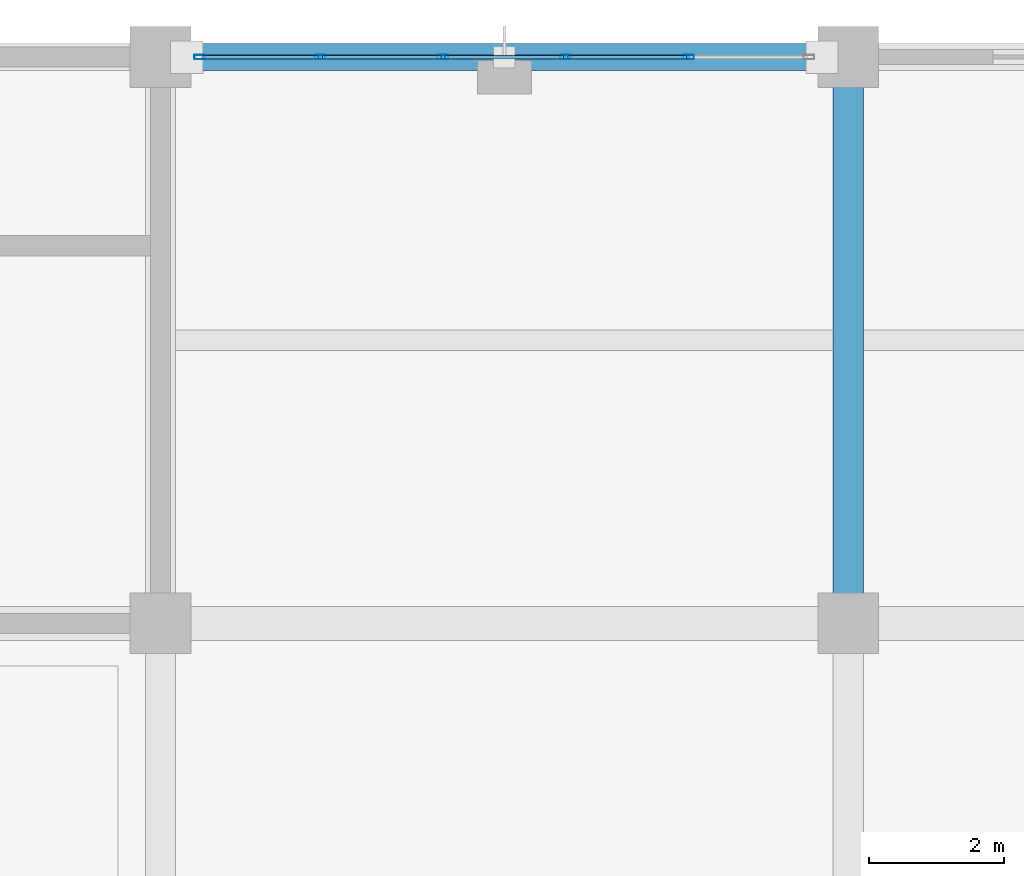
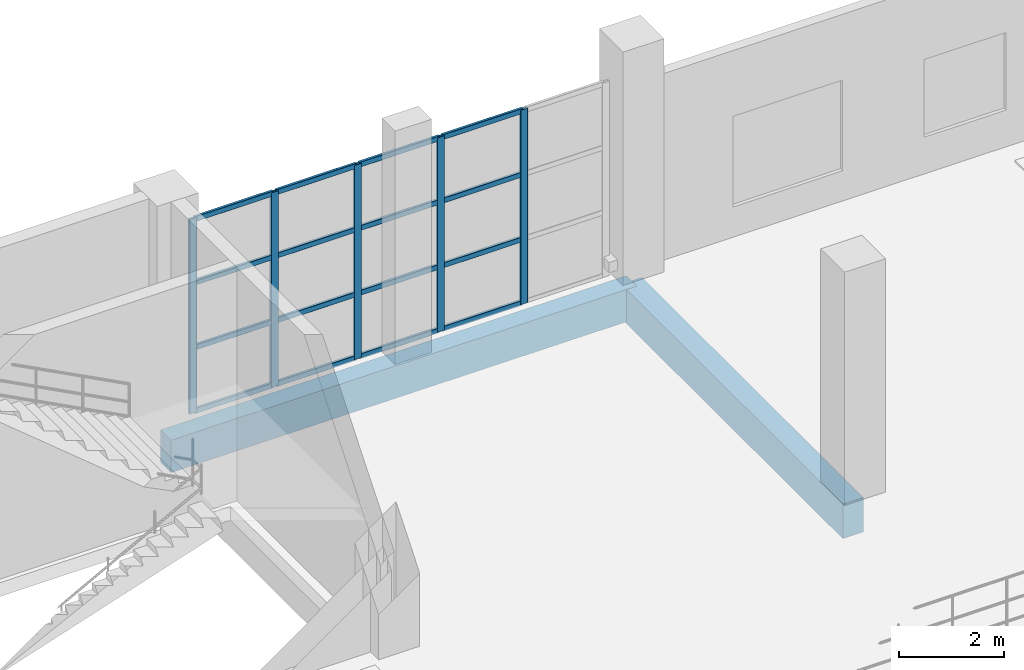
# One storey, part 88 of 175: 21 members, 2 beams, 1 element without a shape of its own.
"""IFC4 building model written with IfcOpenShell, lengths in metres."""

from ifc_helpers import new_model, si_unit, direction, frame, origin, origin_2d, place, context, subcontext, project, spatial, rectangle, hollow_rectangle, extrude, material, material_profile, profile_set, type_object, element, aggregate, save


model = new_model("IFC4")

# Units and contexts
model_context = context("Model", 3, precision=1e-05, world=origin(), true_north=direction((0.0, 1.0)))
body_context = subcontext(model_context, "Body", "Model", "MODEL_VIEW")
ifc_project = project(units=[si_unit("LENGTHUNIT", "METRE"), si_unit("AREAUNIT", "SQUARE_METRE"), si_unit("VOLUMEUNIT", "CUBIC_METRE"), si_unit("PLANEANGLEUNIT", "RADIAN"), si_unit("MASSUNIT", "GRAM", prefix="KILO")], contexts=[model_context])

# Site, building, storey
site_placement = place(None, origin())
site = spatial("IfcSite", under=ifc_project, at=site_placement, CompositionType="ELEMENT")
building_placement = place(site_placement, origin())
building = spatial("IfcBuilding", under=site, at=building_placement, Name="Brelvane Convention Centre", CompositionType="ELEMENT")
storey_placement = place(building_placement, frame((0.0, 0.0, 5.39990234375)))
storey = spatial("IfcBuildingStorey", under=building, at=storey_placement, Name="L01", CompositionType="ELEMENT", Elevation=5.39990234375)

# Curtain wall, members
ifc_material_1 = material(Name="Anodised Aluminium Alloy 6063-T6", Category="aluminium")
curtain_wall_type = type_object("IfcCurtainWallType", Name="Curtain Wall CW-BOUL", PredefinedType="USERDEFINED", material=ifc_material_1)
curtain_wall_placement = place(storey_placement, origin())
curtain_wall = element("IfcCurtainWall", 1, at=curtain_wall_placement, inside=storey, type_object=curtain_wall_type, Name="Curtain Wall CW-BOUL L01-V4N-04", ObjectType="UNITISED", PredefinedType="USERDEFINED")
ifc_material_2 = material(Name="Anodised Aluminium Alloy 6063-T6", Category="aluminium")
ifc_material_profile_1 = material_profile(ifc_material_2, hollow_rectangle(XDim=0.06494140625, YDim=0.159912109375, WallThickness=0.00390625, InnerFilletRadius=0.00390625, OuterFilletRadius=0.008056640625, at=origin_2d()), Name="ALU-M 160x65x4.0")
ifc_profile_set_1 = profile_set([ifc_material_profile_1], Name="Anodised Aluminium Alloy 6063-T6")
member_type_1 = type_object("IfcMemberType", Name="Curtain Mullion CW-M3", PredefinedType="MULLION", material=ifc_profile_set_1)
member_1_placement = place(storey_placement, frame((31.1826171875, 144.0, 0.0), z_axis=(0.0, 0.0, 1.0), x_axis=(0.0, 1.0, 0.0)))
member_1 = element("IfcMember", 2, at=member_1_placement, type_object=member_type_1, Name="CW-BOUL mullion 1", PredefinedType="MULLION", context=body_context, shape_type="SweptSolid", body=[
    extrude(hollow_rectangle(XDim=0.06494140625, YDim=0.159912109375, WallThickness=0.00390625, InnerFilletRadius=0.00390625, OuterFilletRadius=0.008056640625, at=origin_2d()), origin(), (0.0, 0.0, 1.0), 4.5),
])
member_2_placement = place(storey_placement, frame((32.969970703125, 144.0, 0.0), z_axis=(0.0, 0.0, 1.0), x_axis=(0.0, 1.0, 0.0)))
member_2 = element("IfcMember", 3, at=member_2_placement, type_object=member_type_1, Name="CW-BOUL mullion 2", PredefinedType="MULLION", context=body_context, shape_type="SweptSolid", body=[
    extrude(hollow_rectangle(XDim=0.06494140625, YDim=0.159912109375, WallThickness=0.00390625, InnerFilletRadius=0.00390625, OuterFilletRadius=0.008056640625, at=origin_2d()), origin(), (0.0, 0.0, 1.0), 4.5),
])
member_3_placement = place(storey_placement, frame((34.7900390625, 144.0, 0.0), z_axis=(0.0, 0.0, 1.0), x_axis=(0.0, 1.0, 0.0)))
member_3 = element("IfcMember", 4, at=member_3_placement, type_object=member_type_1, Name="CW-BOUL mullion 3", PredefinedType="MULLION", context=body_context, shape_type="SweptSolid", body=[
    extrude(hollow_rectangle(XDim=0.06494140625, YDim=0.159912109375, WallThickness=0.00390625, InnerFilletRadius=0.00390625, OuterFilletRadius=0.008056640625, at=origin_2d()), origin(), (0.0, 0.0, 1.0), 4.5),
])
member_4_placement = place(storey_placement, frame((36.610107421875, 144.0, 0.0), z_axis=(0.0, 0.0, 1.0), x_axis=(0.0, 1.0, 0.0)))
member_4 = element("IfcMember", 5, at=member_4_placement, type_object=member_type_1, Name="CW-BOUL mullion 4", PredefinedType="MULLION", context=body_context, shape_type="SweptSolid", body=[
    extrude(hollow_rectangle(XDim=0.06494140625, YDim=0.159912109375, WallThickness=0.00390625, InnerFilletRadius=0.00390625, OuterFilletRadius=0.008056640625, at=origin_2d()), origin(), (0.0, 0.0, 1.0), 4.5),
])
member_5_placement = place(storey_placement, frame((38.429931640625, 144.0, 0.0), z_axis=(0.0, 0.0, 1.0), x_axis=(0.0, 1.0, 0.0)))
member_5 = element("IfcMember", 6, at=member_5_placement, type_object=member_type_1, Name="CW-BOUL mullion 5", PredefinedType="MULLION", context=body_context, shape_type="SweptSolid", body=[
    extrude(hollow_rectangle(XDim=0.06494140625, YDim=0.159912109375, WallThickness=0.00390625, InnerFilletRadius=0.00390625, OuterFilletRadius=0.008056640625, at=origin_2d()), origin(), (0.0, 0.0, 1.0), 4.5),
])
ifc_material_3 = material(Name="Anodised Aluminium Alloy 6063-T6", Category="aluminium")
ifc_material_profile_2 = material_profile(ifc_material_3, hollow_rectangle(XDim=0.06005859375, YDim=0.1201171875, WallThickness=0.00390625, InnerFilletRadius=0.00390625, OuterFilletRadius=0.008056640625, at=origin_2d()), Name="ALU-T 120x60x4.0")
ifc_profile_set_2 = profile_set([ifc_material_profile_2], Name="Anodised Aluminium Alloy 6063-T6")
member_type_2 = type_object("IfcMemberType", Name="Curtain Transom CW-T3", PredefinedType="USERDEFINED", material=ifc_profile_set_2)
member_6_placement = place(storey_placement, frame((31.215087890625, 144.0, 0.030029296875), z_axis=(1.0, 0.0, 0.0), x_axis=(0.0, 1.0, 0.0)))
member_6 = element("IfcMember", 7, at=member_6_placement, type_object=member_type_2, Name="CW-BOUL transom 1.1", ObjectType="TRANSOM", PredefinedType="USERDEFINED", context=body_context, shape_type="SweptSolid", body=[
    extrude(hollow_rectangle(XDim=0.06005859375, YDim=0.1201171875, WallThickness=0.00390625, InnerFilletRadius=0.00390625, OuterFilletRadius=0.008056640625, at=origin_2d()), origin(), (0.0, 0.0, 1.0), 1.722412109375),
])
member_7_placement = place(storey_placement, frame((31.215087890625, 144.0, 1.5), z_axis=(1.0, 0.0, 0.0), x_axis=(0.0, 1.0, 0.0)))
member_7 = element("IfcMember", 8, at=member_7_placement, type_object=member_type_2, Name="CW-BOUL transom 1.2", ObjectType="TRANSOM", PredefinedType="USERDEFINED", context=body_context, shape_type="SweptSolid", body=[
    extrude(hollow_rectangle(XDim=0.06005859375, YDim=0.1201171875, WallThickness=0.00390625, InnerFilletRadius=0.00390625, OuterFilletRadius=0.008056640625, at=origin_2d()), origin(), (0.0, 0.0, 1.0), 1.722412109375),
])
member_8_placement = place(storey_placement, frame((31.215087890625, 144.0, 3.0), z_axis=(1.0, 0.0, 0.0), x_axis=(0.0, 1.0, 0.0)))
member_8 = element("IfcMember", 9, at=member_8_placement, type_object=member_type_2, Name="CW-BOUL transom 1.3", ObjectType="TRANSOM", PredefinedType="USERDEFINED", context=body_context, shape_type="SweptSolid", body=[
    extrude(hollow_rectangle(XDim=0.06005859375, YDim=0.1201171875, WallThickness=0.00390625, InnerFilletRadius=0.00390625, OuterFilletRadius=0.008056640625, at=origin_2d()), origin(), (0.0, 0.0, 1.0), 1.722412109375),
])
member_9_placement = place(storey_placement, frame((31.215087890625, 144.0, 4.47021484375), z_axis=(1.0, 0.0, 0.0), x_axis=(0.0, 1.0, 0.0)))
member_9 = element("IfcMember", 10, at=member_9_placement, type_object=member_type_2, Name="CW-BOUL transom 1.4", ObjectType="TRANSOM", PredefinedType="USERDEFINED", context=body_context, shape_type="SweptSolid", body=[
    extrude(hollow_rectangle(XDim=0.06005859375, YDim=0.1201171875, WallThickness=0.00390625, InnerFilletRadius=0.00390625, OuterFilletRadius=0.008056640625, at=origin_2d()), origin(), (0.0, 0.0, 1.0), 1.722412109375),
])
member_10_placement = place(storey_placement, frame((33.00244140625, 144.0, 0.030029296875), z_axis=(1.0, 0.0, 0.0), x_axis=(0.0, 1.0, 0.0)))
member_10 = element("IfcMember", 11, at=member_10_placement, type_object=member_type_2, Name="CW-BOUL transom 2.1", ObjectType="TRANSOM", PredefinedType="USERDEFINED", context=body_context, shape_type="SweptSolid", body=[
    extrude(hollow_rectangle(XDim=0.06005859375, YDim=0.1201171875, WallThickness=0.00390625, InnerFilletRadius=0.00390625, OuterFilletRadius=0.008056640625, at=origin_2d()), origin(), (0.0, 0.0, 1.0), 1.755126953125),
])
member_11_placement = place(storey_placement, frame((33.00244140625, 144.0, 1.5), z_axis=(1.0, 0.0, 0.0), x_axis=(0.0, 1.0, 0.0)))
member_11 = element("IfcMember", 12, at=member_11_placement, type_object=member_type_2, Name="CW-BOUL transom 2.2", ObjectType="TRANSOM", PredefinedType="USERDEFINED", context=body_context, shape_type="SweptSolid", body=[
    extrude(hollow_rectangle(XDim=0.06005859375, YDim=0.1201171875, WallThickness=0.00390625, InnerFilletRadius=0.00390625, OuterFilletRadius=0.008056640625, at=origin_2d()), origin(), (0.0, 0.0, 1.0), 1.755126953125),
])
member_12_placement = place(storey_placement, frame((33.00244140625, 144.0, 3.0), z_axis=(1.0, 0.0, 0.0), x_axis=(0.0, 1.0, 0.0)))
member_12 = element("IfcMember", 13, at=member_12_placement, type_object=member_type_2, Name="CW-BOUL transom 2.3", ObjectType="TRANSOM", PredefinedType="USERDEFINED", context=body_context, shape_type="SweptSolid", body=[
    extrude(hollow_rectangle(XDim=0.06005859375, YDim=0.1201171875, WallThickness=0.00390625, InnerFilletRadius=0.00390625, OuterFilletRadius=0.008056640625, at=origin_2d()), origin(), (0.0, 0.0, 1.0), 1.755126953125),
])
member_13_placement = place(storey_placement, frame((33.00244140625, 144.0, 4.47021484375), z_axis=(1.0, 0.0, 0.0), x_axis=(0.0, 1.0, 0.0)))
member_13 = element("IfcMember", 14, at=member_13_placement, type_object=member_type_2, Name="CW-BOUL transom 2.4", ObjectType="TRANSOM", PredefinedType="USERDEFINED", context=body_context, shape_type="SweptSolid", body=[
    extrude(hollow_rectangle(XDim=0.06005859375, YDim=0.1201171875, WallThickness=0.00390625, InnerFilletRadius=0.00390625, OuterFilletRadius=0.008056640625, at=origin_2d()), origin(), (0.0, 0.0, 1.0), 1.755126953125),
])
member_14_placement = place(storey_placement, frame((34.822509765625, 144.0, 0.030029296875), z_axis=(1.0, 0.0, 0.0), x_axis=(0.0, 1.0, 0.0)))
member_14 = element("IfcMember", 15, at=member_14_placement, type_object=member_type_2, Name="CW-BOUL transom 3.1", ObjectType="TRANSOM", PredefinedType="USERDEFINED", context=body_context, shape_type="SweptSolid", body=[
    extrude(hollow_rectangle(XDim=0.06005859375, YDim=0.1201171875, WallThickness=0.00390625, InnerFilletRadius=0.00390625, OuterFilletRadius=0.008056640625, at=origin_2d()), origin(), (0.0, 0.0, 1.0), 1.7548828125),
])
member_15_placement = place(storey_placement, frame((34.822509765625, 144.0, 1.5), z_axis=(1.0, 0.0, 0.0), x_axis=(0.0, 1.0, 0.0)))
member_15 = element("IfcMember", 16, at=member_15_placement, type_object=member_type_2, Name="CW-BOUL transom 3.2", ObjectType="TRANSOM", PredefinedType="USERDEFINED", context=body_context, shape_type="SweptSolid", body=[
    extrude(hollow_rectangle(XDim=0.06005859375, YDim=0.1201171875, WallThickness=0.00390625, InnerFilletRadius=0.00390625, OuterFilletRadius=0.008056640625, at=origin_2d()), origin(), (0.0, 0.0, 1.0), 1.7548828125),
])
member_16_placement = place(storey_placement, frame((34.822509765625, 144.0, 3.0), z_axis=(1.0, 0.0, 0.0), x_axis=(0.0, 1.0, 0.0)))
member_16 = element("IfcMember", 17, at=member_16_placement, type_object=member_type_2, Name="CW-BOUL transom 3.3", ObjectType="TRANSOM", PredefinedType="USERDEFINED", context=body_context, shape_type="SweptSolid", body=[
    extrude(hollow_rectangle(XDim=0.06005859375, YDim=0.1201171875, WallThickness=0.00390625, InnerFilletRadius=0.00390625, OuterFilletRadius=0.008056640625, at=origin_2d()), origin(), (0.0, 0.0, 1.0), 1.7548828125),
])
member_17_placement = place(storey_placement, frame((34.822509765625, 144.0, 4.47021484375), z_axis=(1.0, 0.0, 0.0), x_axis=(0.0, 1.0, 0.0)))
member_17 = element("IfcMember", 18, at=member_17_placement, type_object=member_type_2, Name="CW-BOUL transom 3.4", ObjectType="TRANSOM", PredefinedType="USERDEFINED", context=body_context, shape_type="SweptSolid", body=[
    extrude(hollow_rectangle(XDim=0.06005859375, YDim=0.1201171875, WallThickness=0.00390625, InnerFilletRadius=0.00390625, OuterFilletRadius=0.008056640625, at=origin_2d()), origin(), (0.0, 0.0, 1.0), 1.7548828125),
])
member_18_placement = place(storey_placement, frame((36.642578125, 144.0, 0.030029296875), z_axis=(1.0, 0.0, 0.0), x_axis=(0.0, 1.0, 0.0)))
member_18 = element("IfcMember", 19, at=member_18_placement, type_object=member_type_2, Name="CW-BOUL transom 4.1", ObjectType="TRANSOM", PredefinedType="USERDEFINED", context=body_context, shape_type="SweptSolid", body=[
    extrude(hollow_rectangle(XDim=0.06005859375, YDim=0.1201171875, WallThickness=0.00390625, InnerFilletRadius=0.00390625, OuterFilletRadius=0.008056640625, at=origin_2d()), origin(), (0.0, 0.0, 1.0), 1.7548828125),
])
member_19_placement = place(storey_placement, frame((36.642578125, 144.0, 1.5), z_axis=(1.0, 0.0, 0.0), x_axis=(0.0, 1.0, 0.0)))
member_19 = element("IfcMember", 20, at=member_19_placement, type_object=member_type_2, Name="CW-BOUL transom 4.2", ObjectType="TRANSOM", PredefinedType="USERDEFINED", context=body_context, shape_type="SweptSolid", body=[
    extrude(hollow_rectangle(XDim=0.06005859375, YDim=0.1201171875, WallThickness=0.00390625, InnerFilletRadius=0.00390625, OuterFilletRadius=0.008056640625, at=origin_2d()), origin(), (0.0, 0.0, 1.0), 1.7548828125),
])
member_20_placement = place(storey_placement, frame((36.642578125, 144.0, 3.0), z_axis=(1.0, 0.0, 0.0), x_axis=(0.0, 1.0, 0.0)))
member_20 = element("IfcMember", 21, at=member_20_placement, type_object=member_type_2, Name="CW-BOUL transom 4.3", ObjectType="TRANSOM", PredefinedType="USERDEFINED", context=body_context, shape_type="SweptSolid", body=[
    extrude(hollow_rectangle(XDim=0.06005859375, YDim=0.1201171875, WallThickness=0.00390625, InnerFilletRadius=0.00390625, OuterFilletRadius=0.008056640625, at=origin_2d()), origin(), (0.0, 0.0, 1.0), 1.7548828125),
])
member_21_placement = place(storey_placement, frame((36.642578125, 144.0, 4.47021484375), z_axis=(1.0, 0.0, 0.0), x_axis=(0.0, 1.0, 0.0)))
member_21 = element("IfcMember", 22, at=member_21_placement, type_object=member_type_2, Name="CW-BOUL transom 4.4", ObjectType="TRANSOM", PredefinedType="USERDEFINED", context=body_context, shape_type="SweptSolid", body=[
    extrude(hollow_rectangle(XDim=0.06005859375, YDim=0.1201171875, WallThickness=0.00390625, InnerFilletRadius=0.00390625, OuterFilletRadius=0.008056640625, at=origin_2d()), origin(), (0.0, 0.0, 1.0), 1.7548828125),
])
aggregate(curtain_wall, [member_1, member_2, member_3, member_4, member_5, member_6, member_7, member_8, member_9, member_10, member_11, member_12, member_13, member_14, member_15, member_16, member_17, member_18, member_19, member_20, member_21])

# Beams
ifc_material_4 = material(Name="Concrete M40", Category="concrete")
ifc_material_profile_3 = material_profile(ifc_material_4, rectangle(XDim=0.449951171875, YDim=0.800048828125, at=origin_2d()), Name="RC 450x800")
ifc_profile_set_3 = profile_set([ifc_material_profile_3], Name="Concrete M40")
beam_type_1 = type_object("IfcBeamType", Name="RC Beam B-RC5 (RC 450x800)", PredefinedType="BEAM", material=ifc_profile_set_3)
beam_1_placement = place(storey_placement, frame((40.800048828125, 135.60009765625, -0.719970703125), z_axis=(0.0, 1.0, 0.0), x_axis=(-1.0, 0.0, 0.0)))
element("IfcBeam", 23, at=beam_1_placement, inside=storey, type_object=beam_type_1, Name="L01 Girder 5/P-Q", PredefinedType="BEAM", context=body_context, shape_type="SweptSolid", body=[
    extrude(rectangle(XDim=0.449951171875, YDim=0.800048828125, at=origin_2d()), origin(), (0.0, 0.0, 1.0), 8.39990234375),
])
ifc_material_5 = material(Name="Concrete M40", Category="concrete")
ifc_material_profile_4 = material_profile(ifc_material_5, rectangle(XDim=0.39990234375, YDim=0.75, at=origin_2d()), Name="RC 400x750")
ifc_profile_set_4 = profile_set([ifc_material_profile_4], Name="Concrete M40")
beam_type_2 = type_object("IfcBeamType", Name="RC Spandrel SP-RC1 (RC 400x750)", PredefinedType="SPANDREL", material=ifc_profile_set_4)
beam_2_placement = place(storey_placement, frame((30.60009765625, 144.0, -0.69482421875), z_axis=(1.0, 0.0, 0.0), x_axis=(0.0, 1.0, 0.0)))
element("IfcBeam", 24, at=beam_2_placement, inside=storey, type_object=beam_type_2, Name="L01 Beam 4-5/Q", PredefinedType="SPANDREL", context=body_context, shape_type="SweptSolid", body=[
    extrude(rectangle(XDim=0.39990234375, YDim=0.75, at=origin_2d()), origin(), (0.0, 0.0, 1.0), 10.199951171875),
])

save(model, "model.ifc")
